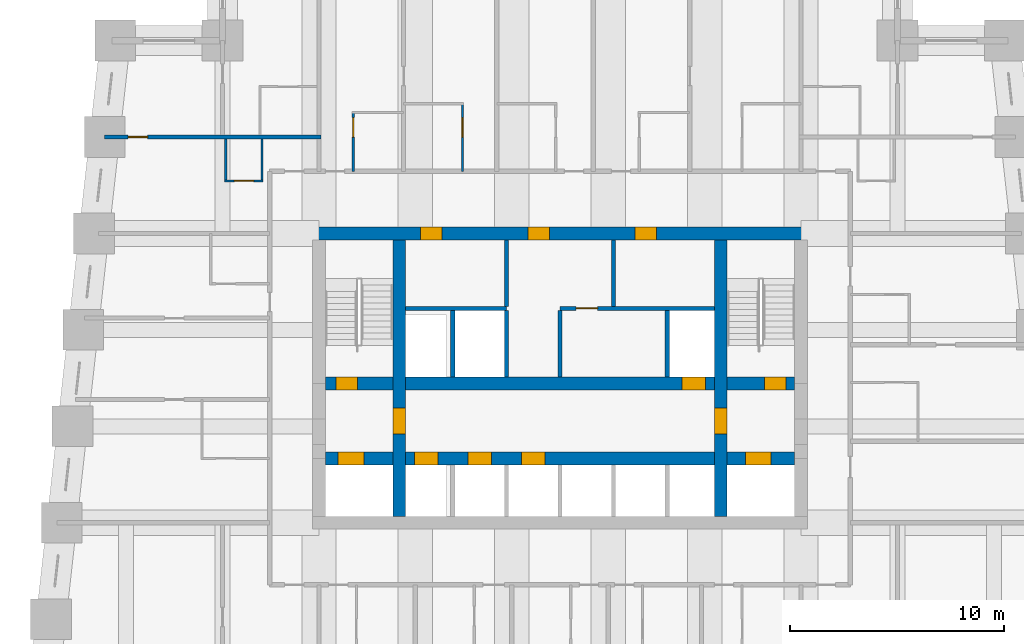
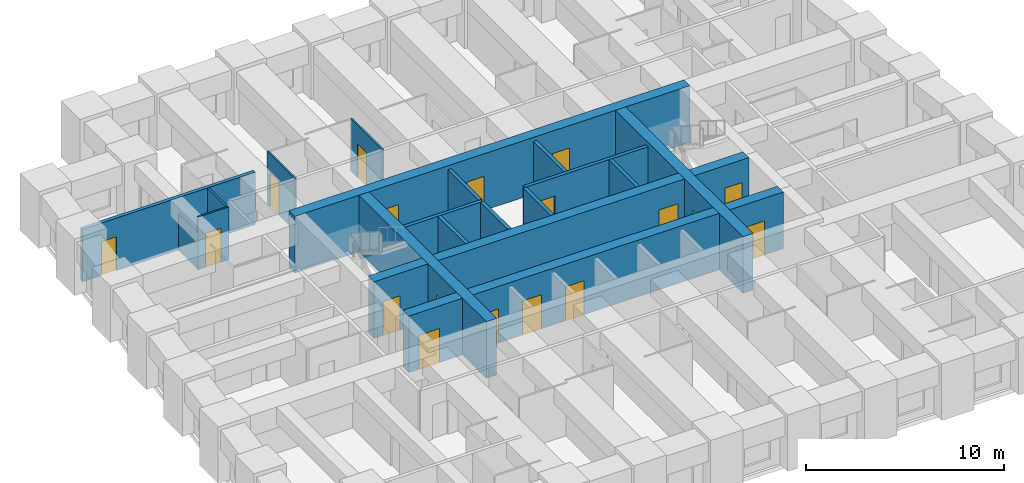
# One storey, part 4 of 8: 19 walls, 18 doors, 18 openings.
"""IFC4 building model written with IfcOpenShell, lengths in metres."""

from ifc_helpers import new_model, si_unit, direction, frame, frame_2d, origin, place, context, subcontext, project, spatial, rectangle, extrude, material, layer, layer_set, type_object, element, fill, save


model = new_model("IFC4")

# Units and contexts
model_context = context("Model", 3, precision=1e-05, world=origin(), true_north=direction((0.0, 1.0)))
body_context = subcontext(model_context, "Body", "Model", "MODEL_VIEW")
ifc_project = project(units=[si_unit("LENGTHUNIT", "METRE"), si_unit("AREAUNIT", "SQUARE_METRE"), si_unit("VOLUMEUNIT", "CUBIC_METRE"), si_unit("PLANEANGLEUNIT", "RADIAN"), si_unit("MASSUNIT", "GRAM", prefix="KILO")], contexts=[model_context])

# Site, building, storey
site_placement = place(None, origin())
site = spatial("IfcSite", under=ifc_project, at=site_placement, CompositionType="ELEMENT")
building_placement = place(site_placement, origin())
building = spatial("IfcBuilding", under=site, at=building_placement, Name="Kilele Tower Hotel", CompositionType="ELEMENT")
storey_placement = place(building_placement, frame((0.0, 0.0, 61.199951171875)))
storey = spatial("IfcBuildingStorey", under=building, at=storey_placement, Name="L14", CompositionType="ELEMENT", Elevation=61.199951171875)

# Wall, opening, door
ifc_material_1 = material(Name="Moisture-resistant board")
ifc_layer_1 = layer(ifc_material_1, 0.10009765625)
ifc_layer_set_1 = layer_set([ifc_layer_1], Name="Moisture-resistant board")
wall_type_1 = type_object("IfcWallType", Name="Bathroom partition 100", PredefinedType="PLUMBINGWALL", material=ifc_layer_set_1)
wall_1_placement = place(storey_placement, frame((15.10009765625, 29.89990234375, 0.0), z_axis=(0.0, 0.0, 1.0), x_axis=(0.0, 1.0, 0.0)))
wall_1 = element("IfcWall", 1, at=wall_1_placement, inside=storey, type_object=wall_type_1, Name="Bathroom partition 100 L14", PredefinedType="PLUMBINGWALL", context=body_context, shape_type="SweptSolid", body=[
    extrude(rectangle(XDim=2.800048828125, YDim=0.10009765625, at=frame_2d((1.39990234375, 0.0))), origin(), (0.0, 0.0, 1.0), 3.25),
])
opening_1_placement = place(wall_1_placement, frame((1.60009765625, 0.0, 0.0)))
opening_1 = element("IfcOpeningElement", 2, at=opening_1_placement, cuts=wall_1, Name="Opening D2A", PredefinedType="OPENING", context=body_context, shape_type="SweptSolid", body=[
    extrude(rectangle(XDim=0.89990234375, YDim=2.10009765625, at=frame_2d((0.449951171875, 1.050048828125))), frame((0.0, 0.06005859375, 0.0), z_axis=(0.0, -1.0, 0.0), x_axis=(1.0, 0.0, 0.0)), (0.0, 0.0, 1.0), 0.1201171875),
])
ifc_material_2 = material(Name="Timber door leaf in hardwood frame", Category="wood")
door_type_1 = type_object("IfcDoorType", Name="Bathroom door 900", OperationType="SINGLE_SWING_LEFT", PredefinedType="DOOR", material=ifc_material_2)
door_1_placement = place(opening_1_placement, origin())
door_1 = element("IfcDoor", 3, at=door_1_placement, inside=storey, type_object=door_type_1, Name="Bathroom door 1409B", OperationType="SINGLE_SWING_LEFT", OverallHeight=2.10009765625, OverallWidth=0.89990234375, PredefinedType="DOOR", context=body_context, shape_type="SweptSolid", body=[
    extrude(rectangle(XDim=0.89990234375, YDim=2.10009765625, at=frame_2d((0.449951171875, 1.050048828125))), frame((0.0, 0.02490234375, 0.0), z_axis=(0.0, -1.0, 0.0), x_axis=(1.0, 0.0, 0.0)), (0.0, 0.0, 1.0), 0.050048828125),
])
fill(opening_1, door_1)

wall_2_placement = place(storey_placement, frame((20.199951171875, 29.89990234375, 0.0), z_axis=(0.0, 0.0, 1.0), x_axis=(0.0, 1.0, 0.0)))
wall_2 = element("IfcWall", 4, at=wall_2_placement, inside=storey, type_object=wall_type_1, Name="Bathroom partition 100 L14", PredefinedType="PLUMBINGWALL", context=body_context, shape_type="SweptSolid", body=[
    extrude(rectangle(XDim=3.2001953125, YDim=0.10009765625, at=frame_2d((1.60009765625, 0.0))), origin(), (0.0, 0.0, 1.0), 3.25),
])
opening_2_placement = place(wall_2_placement, frame((2.5, 0.0, 0.0), z_axis=(0.0, 0.0, 1.0), x_axis=(-1.0, 0.0, 0.0)))
opening_2 = element("IfcOpeningElement", 5, at=opening_2_placement, cuts=wall_2, Name="Opening D2A", PredefinedType="OPENING", context=body_context, shape_type="SweptSolid", body=[
    extrude(rectangle(XDim=0.89990234375, YDim=2.10009765625, at=frame_2d((0.449951171875, 1.050048828125))), frame((0.0, 0.06005859375, 0.0), z_axis=(0.0, -1.0, 0.0), x_axis=(1.0, 0.0, 0.0)), (0.0, 0.0, 1.0), 0.1201171875),
])
door_2_placement = place(opening_2_placement, origin())
door_2 = element("IfcDoor", 6, at=door_2_placement, inside=storey, type_object=door_type_1, Name="Bathroom door 1410B", OperationType="SINGLE_SWING_RIGHT", OverallHeight=2.10009765625, OverallWidth=0.89990234375, PredefinedType="DOOR", context=body_context, shape_type="SweptSolid", body=[
    extrude(rectangle(XDim=0.89990234375, YDim=2.10009765625, at=frame_2d((0.449951171875, 1.050048828125))), frame((0.0, 0.02490234375, 0.0), z_axis=(0.0, -1.0, 0.0), x_axis=(1.0, 0.0, 0.0)), (0.0, 0.0, 1.0), 0.050048828125),
])
fill(opening_2, door_2)

# Walls
wall_3_placement = place(storey_placement, frame((9.14990234375, 31.39990234375, 0.0), z_axis=(0.0, 0.0, 1.0), x_axis=(0.0, -1.0, 0.0)))
element("IfcWall", 7, at=wall_3_placement, inside=storey, type_object=wall_type_1, Name="Bathroom partition 100 L14", PredefinedType="PLUMBINGWALL", context=body_context, shape_type="SweptSolid", body=[
    extrude(rectangle(XDim=2.0, YDim=0.10009765625, at=frame_2d((1.0, 0.0))), origin(), (0.0, 0.0, 1.0), 2.25),
])
wall_4_placement = place(storey_placement, frame((10.85009765625, 31.39990234375, 0.0), z_axis=(0.0, 0.0, 1.0), x_axis=(0.0, -1.0, 0.0)))
element("IfcWall", 8, at=wall_4_placement, inside=storey, type_object=wall_type_1, Name="Bathroom partition 100 L14", PredefinedType="PLUMBINGWALL", context=body_context, shape_type="SweptSolid", body=[
    extrude(rectangle(XDim=2.0, YDim=0.10009765625, at=frame_2d((1.0, 0.0))), origin(), (0.0, 0.0, 1.0), 3.25),
])

# Wall, opening, door
wall_5_placement = place(storey_placement, frame((10.89990234375, 29.449951171875, 0.0), z_axis=(0.0, 0.0, 1.0), x_axis=(-1.0, 0.0, 0.0)))
wall_5 = element("IfcWall", 9, at=wall_5_placement, inside=storey, type_object=wall_type_1, Name="Bathroom partition 100 L14", PredefinedType="PLUMBINGWALL", context=body_context, shape_type="SweptSolid", body=[
    extrude(rectangle(XDim=1.7998046875, YDim=0.10009765625, at=frame_2d((0.89990234375, 0.0))), origin(), (0.0, 0.0, 1.0), 3.25),
])
opening_3_placement = place(wall_5_placement, frame((0.449951171875, 0.0, 0.0)))
opening_3 = element("IfcOpeningElement", 10, at=opening_3_placement, cuts=wall_5, Name="Opening D2A", PredefinedType="OPENING", context=body_context, shape_type="SweptSolid", body=[
    extrude(rectangle(XDim=0.89990234375, YDim=2.10009765625, at=frame_2d((0.449951171875, 1.050048828125))), frame((0.0, 0.06005859375, 0.0), z_axis=(0.0, -1.0, 0.0), x_axis=(1.0, 0.0, 0.0)), (0.0, 0.0, 1.0), 0.1201171875),
])
door_3_placement = place(opening_3_placement, origin())
door_3 = element("IfcDoor", 11, at=door_3_placement, inside=storey, type_object=door_type_1, Name="Bathroom door 1426P", OperationType="SINGLE_SWING_LEFT", OverallHeight=2.10009765625, OverallWidth=0.89990234375, PredefinedType="DOOR", context=body_context, shape_type="SweptSolid", body=[
    extrude(rectangle(XDim=0.89990234375, YDim=2.10009765625, at=frame_2d((0.449951171875, 1.050048828125))), frame((0.0, 0.02490234375, 0.0), z_axis=(0.0, -1.0, 0.0), x_axis=(1.0, 0.0, 0.0)), (0.0, 0.0, 1.0), 0.050048828125),
])
fill(opening_3, door_3)

# Wall, openings, doors
ifc_material_3 = material(Name="Concrete C60/75", Category="concrete")
ifc_layer_2 = layer(ifc_material_3, 0.60009765625)
ifc_layer_set_2 = layer_set([ifc_layer_2], Name="Concrete C60/75")
wall_type_2 = type_object("IfcWallType", Name="Core wall 600 C60/75", PredefinedType="SHEAR", material=ifc_layer_set_2)
wall_6_placement = place(storey_placement, frame((36.300048828125, 27.0, 0.0), z_axis=(0.0, 0.0, 1.0), x_axis=(-1.0, 0.0, 0.0)))
wall_6 = element("IfcWall", 12, at=wall_6_placement, inside=storey, type_object=wall_type_2, Name="Core wall N L14", PredefinedType="SHEAR", context=body_context, shape_type="SweptSolid", body=[
    extrude(rectangle(XDim=23.10009765625, YDim=0.60009765625, at=frame_2d((11.550048828125, 0.0))), origin(), (0.0, 0.0, 1.0), 3.5),
])
opening_4_placement = place(wall_6_placement, frame((17.050048828125, 0.0, 0.0)))
opening_4 = element("IfcOpeningElement", 13, at=opening_4_placement, cuts=wall_6, Name="Opening D6", PredefinedType="OPENING", context=body_context, shape_type="SweptSolid", body=[
    extrude(rectangle(XDim=1.0, YDim=2.10009765625, at=frame_2d((0.5, 1.050048828125))), frame((0.0, 0.31005859375, 0.0), z_axis=(0.0, -1.0, 0.0), x_axis=(1.0, 0.0, 0.0)), (0.0, 0.0, 1.0), 0.6201171875),
])
opening_5_placement = place(wall_6_placement, frame((12.050048828125, 0.0, 0.0)))
opening_5 = element("IfcOpeningElement", 14, at=opening_5_placement, cuts=wall_6, Name="Opening D6", PredefinedType="OPENING", context=body_context, shape_type="SweptSolid", body=[
    extrude(rectangle(XDim=1.0, YDim=2.10009765625, at=frame_2d((0.5, 1.050048828125))), frame((0.0, 0.31005859375, 0.0), z_axis=(0.0, -1.0, 0.0), x_axis=(1.0, 0.0, 0.0)), (0.0, 0.0, 1.0), 0.6201171875),
])
opening_6_placement = place(wall_6_placement, frame((7.050048828125, 0.0, 0.0)))
opening_6 = element("IfcOpeningElement", 15, at=opening_6_placement, cuts=wall_6, Name="Opening D6", PredefinedType="OPENING", context=body_context, shape_type="SweptSolid", body=[
    extrude(rectangle(XDim=1.0, YDim=2.10009765625, at=frame_2d((0.5, 1.050048828125))), frame((0.0, 0.31005859375, 0.0), z_axis=(0.0, -1.0, 0.0), x_axis=(1.0, 0.0, 0.0)), (0.0, 0.0, 1.0), 0.6201171875),
])
ifc_material_4 = material(Name="Timber door leaf in hardwood frame", Category="wood")
door_type_2 = type_object("IfcDoorType", Name="Riser door 1000", OperationType="SINGLE_SWING_LEFT", PredefinedType="DOOR", material=ifc_material_4)
door_4_placement = place(opening_4_placement, origin())
door_4 = element("IfcDoor", 16, at=door_4_placement, inside=storey, type_object=door_type_2, Name="Service riser door L14", OperationType="SINGLE_SWING_RIGHT", OverallHeight=2.10009765625, OverallWidth=1.0, PredefinedType="DOOR", context=body_context, shape_type="SweptSolid", body=[
    extrude(rectangle(XDim=1.0, YDim=2.10009765625, at=frame_2d((0.5, 1.050048828125))), frame((0.0, 0.2998046875, 0.0), z_axis=(0.0, -1.0, 0.0), x_axis=(1.0, 0.0, 0.0)), (0.0, 0.0, 1.0), 0.599609375),
])
fill(opening_4, door_4)
door_5_placement = place(opening_5_placement, origin())
door_5 = element("IfcDoor", 17, at=door_5_placement, inside=storey, type_object=door_type_2, Name="Linen store door L14", OperationType="SINGLE_SWING_RIGHT", OverallHeight=2.10009765625, OverallWidth=1.0, PredefinedType="DOOR", context=body_context, shape_type="SweptSolid", body=[
    extrude(rectangle(XDim=1.0, YDim=2.10009765625, at=frame_2d((0.5, 1.050048828125))), frame((0.0, 0.2998046875, 0.0), z_axis=(0.0, -1.0, 0.0), x_axis=(1.0, 0.0, 0.0)), (0.0, 0.0, 1.0), 0.599609375),
])
fill(opening_5, door_5)
door_6_placement = place(opening_6_placement, origin())
door_6 = element("IfcDoor", 18, at=door_6_placement, inside=storey, type_object=door_type_2, Name="Electrical riser door L14", OperationType="SINGLE_SWING_RIGHT", OverallHeight=2.10009765625, OverallWidth=1.0, PredefinedType="DOOR", context=body_context, shape_type="SweptSolid", body=[
    extrude(rectangle(XDim=1.0, YDim=2.10009765625, at=frame_2d((0.5, 1.050048828125))), frame((0.0, 0.2998046875, 0.0), z_axis=(0.0, -1.0, 0.0), x_axis=(1.0, 0.0, 0.0)), (0.0, 0.0, 1.0), 0.599609375),
])
fill(opening_6, door_6)

# Wall, opening, door
wall_7_placement = place(storey_placement, frame((17.25, 13.800048828125, 0.0), z_axis=(0.0, 0.0, 1.0), x_axis=(0.0, 1.0, 0.0)))
wall_7 = element("IfcWall", 19, at=wall_7_placement, inside=storey, type_object=wall_type_2, Name="Core wall IW L14", PredefinedType="SHEAR", context=body_context, shape_type="SweptSolid", body=[
    extrude(rectangle(XDim=12.89990234375, YDim=0.60009765625, at=frame_2d((6.449951171875, 0.0))), origin(), (0.0, 0.0, 1.0), 3.5),
])
opening_7_placement = place(wall_7_placement, frame((3.85009765625, 0.0, 0.0)))
opening_7 = element("IfcOpeningElement", 20, at=opening_7_placement, cuts=wall_7, Name="Opening D4", PredefinedType="OPENING", context=body_context, shape_type="SweptSolid", body=[
    extrude(rectangle(XDim=1.199951171875, YDim=2.10009765625, at=frame_2d((0.60009765625, 1.050048828125))), frame((0.0, 0.31005859375, 0.0), z_axis=(0.0, -1.0, 0.0), x_axis=(1.0, 0.0, 0.0)), (0.0, 0.0, 1.0), 0.6201171875),
])
ifc_material_5 = material(Name="Timber door leaf in hardwood frame", Category="wood")
door_type_3 = type_object("IfcDoorType", Name="Firefighting lobby door 1200", OperationType="SINGLE_SWING_LEFT", PredefinedType="DOOR", material=ifc_material_5)
door_7_placement = place(opening_7_placement, origin())
door_7 = element("IfcDoor", 21, at=door_7_placement, inside=storey, type_object=door_type_3, Name="Lobby door L14", OperationType="SINGLE_SWING_LEFT", OverallHeight=2.10009765625, OverallWidth=1.199951171875, PredefinedType="DOOR", context=body_context, shape_type="SweptSolid", body=[
    extrude(rectangle(XDim=1.199951171875, YDim=2.10009765625, at=frame_2d((0.60009765625, 1.050048828125))), frame((0.0, 0.2998046875, 0.0), z_axis=(0.0, -1.0, 0.0), x_axis=(1.0, 0.0, 0.0)), (0.0, 0.0, 1.0), 0.599609375),
])
fill(opening_7, door_7)

wall_8_placement = place(storey_placement, frame((32.25, 13.800048828125, 0.0), z_axis=(0.0, 0.0, 1.0), x_axis=(0.0, 1.0, 0.0)))
wall_8 = element("IfcWall", 22, at=wall_8_placement, inside=storey, type_object=wall_type_2, Name="Core wall IE L14", PredefinedType="SHEAR", context=body_context, shape_type="SweptSolid", body=[
    extrude(rectangle(XDim=12.89990234375, YDim=0.60009765625, at=frame_2d((6.449951171875, 0.0))), origin(), (0.0, 0.0, 1.0), 3.5),
])
opening_8_placement = place(wall_8_placement, frame((5.050048828125, 0.0, 0.0), z_axis=(0.0, 0.0, 1.0), x_axis=(-1.0, 0.0, 0.0)))
opening_8 = element("IfcOpeningElement", 23, at=opening_8_placement, cuts=wall_8, Name="Opening D4", PredefinedType="OPENING", context=body_context, shape_type="SweptSolid", body=[
    extrude(rectangle(XDim=1.199951171875, YDim=2.10009765625, at=frame_2d((0.60009765625, 1.050048828125))), frame((0.0, 0.31005859375, 0.0), z_axis=(0.0, -1.0, 0.0), x_axis=(1.0, 0.0, 0.0)), (0.0, 0.0, 1.0), 0.6201171875),
])
door_8_placement = place(opening_8_placement, origin())
door_8 = element("IfcDoor", 24, at=door_8_placement, inside=storey, type_object=door_type_3, Name="Lobby door L14", OperationType="SINGLE_SWING_RIGHT", OverallHeight=2.10009765625, OverallWidth=1.199951171875, PredefinedType="DOOR", context=body_context, shape_type="SweptSolid", body=[
    extrude(rectangle(XDim=1.199951171875, YDim=2.10009765625, at=frame_2d((0.60009765625, 1.050048828125))), frame((0.0, 0.2998046875, 0.0), z_axis=(0.0, -1.0, 0.0), x_axis=(1.0, 0.0, 0.0)), (0.0, 0.0, 1.0), 0.599609375),
])
fill(opening_8, door_8)

# Wall, openings, doors
wall_9_placement = place(storey_placement, frame((13.800048828125, 16.5, 0.0), z_axis=(0.0, 0.0, 1.0), x_axis=(1.0, 0.0, 0.0)))
wall_9 = element("IfcWall", 25, at=wall_9_placement, inside=storey, type_object=wall_type_2, Name="Core wall LS L14", PredefinedType="SHEAR", context=body_context, shape_type="SweptSolid", body=[
    extrude(rectangle(XDim=21.89990234375, YDim=0.60009765625, at=frame_2d((10.949951171875, 0.0))), origin(), (0.0, 0.0, 1.0), 3.5),
])
opening_9_placement = place(wall_9_placement, frame((4.14990234375, 0.0, 0.0)))
opening_9 = element("IfcOpeningElement", 26, at=opening_9_placement, cuts=wall_9, Name="Opening LD1", PredefinedType="OPENING", context=body_context, shape_type="SweptSolid", body=[
    extrude(rectangle(XDim=1.10009765625, YDim=2.10009765625, at=frame_2d((0.550048828125, 1.050048828125))), frame((0.0, 0.31005859375, 0.0), z_axis=(0.0, -1.0, 0.0), x_axis=(1.0, 0.0, 0.0)), (0.0, 0.0, 1.0), 0.6201171875),
])
opening_10_placement = place(wall_9_placement, frame((6.64990234375, 0.0, 0.0)))
opening_10 = element("IfcOpeningElement", 27, at=opening_10_placement, cuts=wall_9, Name="Opening LD1", PredefinedType="OPENING", context=body_context, shape_type="SweptSolid", body=[
    extrude(rectangle(XDim=1.10009765625, YDim=2.10009765625, at=frame_2d((0.550048828125, 1.050048828125))), frame((0.0, 0.31005859375, 0.0), z_axis=(0.0, -1.0, 0.0), x_axis=(1.0, 0.0, 0.0)), (0.0, 0.0, 1.0), 0.6201171875),
])
opening_11_placement = place(wall_9_placement, frame((9.14990234375, 0.0, 0.0)))
opening_11 = element("IfcOpeningElement", 28, at=opening_11_placement, cuts=wall_9, Name="Opening LD1", PredefinedType="OPENING", context=body_context, shape_type="SweptSolid", body=[
    extrude(rectangle(XDim=1.10009765625, YDim=2.10009765625, at=frame_2d((0.550048828125, 1.050048828125))), frame((0.0, 0.31005859375, 0.0), z_axis=(0.0, -1.0, 0.0), x_axis=(1.0, 0.0, 0.0)), (0.0, 0.0, 1.0), 0.6201171875),
])
opening_12_placement = place(wall_9_placement, frame((0.60009765625, 0.0, 0.0)))
opening_12 = element("IfcOpeningElement", 29, at=opening_12_placement, cuts=wall_9, Name="Opening LD2", PredefinedType="OPENING", context=body_context, shape_type="SweptSolid", body=[
    extrude(rectangle(XDim=1.199951171875, YDim=2.10009765625, at=frame_2d((0.60009765625, 1.050048828125))), frame((0.0, 0.31005859375, 0.0), z_axis=(0.0, -1.0, 0.0), x_axis=(1.0, 0.0, 0.0)), (0.0, 0.0, 1.0), 0.6201171875),
])
opening_13_placement = place(wall_9_placement, frame((19.60009765625, 0.0, 0.0)))
opening_13 = element("IfcOpeningElement", 30, at=opening_13_placement, cuts=wall_9, Name="Opening LD2", PredefinedType="OPENING", context=body_context, shape_type="SweptSolid", body=[
    extrude(rectangle(XDim=1.199951171875, YDim=2.10009765625, at=frame_2d((0.60009765625, 1.050048828125))), frame((0.0, 0.31005859375, 0.0), z_axis=(0.0, -1.0, 0.0), x_axis=(1.0, 0.0, 0.0)), (0.0, 0.0, 1.0), 0.6201171875),
])
ifc_material_6 = material(Name="Steel lift landing door", Category="steel")
door_type_4 = type_object("IfcDoorType", Name="Firefighting lift landing door 1200", OperationType="SLIDING_TO_LEFT", PredefinedType="DOOR", material=ifc_material_6)
door_9_placement = place(opening_12_placement, origin())
door_9 = element("IfcDoor", 31, at=door_9_placement, inside=storey, type_object=door_type_4, Name="Landing door FFW L14", OperationType="SLIDING_TO_LEFT", OverallHeight=2.10009765625, OverallWidth=1.199951171875, PredefinedType="DOOR", context=body_context, shape_type="SweptSolid", body=[
    extrude(rectangle(XDim=1.199951171875, YDim=2.10009765625, at=frame_2d((0.60009765625, 1.050048828125))), frame((0.0, 0.2998046875, 0.0), z_axis=(0.0, -1.0, 0.0), x_axis=(1.0, 0.0, 0.0)), (0.0, 0.0, 1.0), 0.599609375),
])
fill(opening_12, door_9)
door_10_placement = place(opening_13_placement, origin())
door_10 = element("IfcDoor", 32, at=door_10_placement, inside=storey, type_object=door_type_4, Name="Landing door FFE L14", OperationType="SLIDING_TO_LEFT", OverallHeight=2.10009765625, OverallWidth=1.199951171875, PredefinedType="DOOR", context=body_context, shape_type="SweptSolid", body=[
    extrude(rectangle(XDim=1.199951171875, YDim=2.10009765625, at=frame_2d((0.60009765625, 1.050048828125))), frame((0.0, 0.2998046875, 0.0), z_axis=(0.0, -1.0, 0.0), x_axis=(1.0, 0.0, 0.0)), (0.0, 0.0, 1.0), 0.599609375),
])
fill(opening_13, door_10)
ifc_material_7 = material(Name="Steel lift landing door", Category="steel")
door_type_5 = type_object("IfcDoorType", Name="Lift landing door 1100", OperationType="SLIDING_TO_LEFT", PredefinedType="DOOR", material=ifc_material_7)
door_11_placement = place(opening_9_placement, origin())
door_11 = element("IfcDoor", 33, at=door_11_placement, inside=storey, type_object=door_type_5, Name="Landing door L1 L14", OperationType="SLIDING_TO_LEFT", OverallHeight=2.10009765625, OverallWidth=1.10009765625, PredefinedType="DOOR", context=body_context, shape_type="SweptSolid", body=[
    extrude(rectangle(XDim=1.10009765625, YDim=2.10009765625, at=frame_2d((0.550048828125, 1.050048828125))), frame((0.0, 0.2998046875, 0.0), z_axis=(0.0, -1.0, 0.0), x_axis=(1.0, 0.0, 0.0)), (0.0, 0.0, 1.0), 0.599609375),
])
fill(opening_9, door_11)
door_12_placement = place(opening_10_placement, origin())
door_12 = element("IfcDoor", 34, at=door_12_placement, inside=storey, type_object=door_type_5, Name="Landing door L2 L14", OperationType="SLIDING_TO_LEFT", OverallHeight=2.10009765625, OverallWidth=1.10009765625, PredefinedType="DOOR", context=body_context, shape_type="SweptSolid", body=[
    extrude(rectangle(XDim=1.10009765625, YDim=2.10009765625, at=frame_2d((0.550048828125, 1.050048828125))), frame((0.0, 0.2998046875, 0.0), z_axis=(0.0, -1.0, 0.0), x_axis=(1.0, 0.0, 0.0)), (0.0, 0.0, 1.0), 0.599609375),
])
fill(opening_10, door_12)
door_13_placement = place(opening_11_placement, origin())
door_13 = element("IfcDoor", 35, at=door_13_placement, inside=storey, type_object=door_type_5, Name="Landing door L3 L14", OperationType="SLIDING_TO_LEFT", OverallHeight=2.10009765625, OverallWidth=1.10009765625, PredefinedType="DOOR", context=body_context, shape_type="SweptSolid", body=[
    extrude(rectangle(XDim=1.10009765625, YDim=2.10009765625, at=frame_2d((0.550048828125, 1.050048828125))), frame((0.0, 0.2998046875, 0.0), z_axis=(0.0, -1.0, 0.0), x_axis=(1.0, 0.0, 0.0)), (0.0, 0.0, 1.0), 0.599609375),
])
fill(opening_11, door_13)

wall_10_placement = place(storey_placement, frame((13.800048828125, 20.0, 0.0), z_axis=(0.0, 0.0, 1.0), x_axis=(1.0, 0.0, 0.0)))
wall_10 = element("IfcWall", 36, at=wall_10_placement, inside=storey, type_object=wall_type_2, Name="Core wall LN L14", PredefinedType="SHEAR", context=body_context, shape_type="SweptSolid", body=[
    extrude(rectangle(XDim=21.89990234375, YDim=0.60009765625, at=frame_2d((10.949951171875, 0.0))), origin(), (0.0, 0.0, 1.0), 3.5),
])
opening_14_placement = place(wall_10_placement, frame((0.5, 0.0, 0.0)))
opening_14 = element("IfcOpeningElement", 37, at=opening_14_placement, cuts=wall_10, Name="Opening D5", PredefinedType="OPENING", context=body_context, shape_type="SweptSolid", body=[
    extrude(rectangle(XDim=1.0, YDim=2.10009765625, at=frame_2d((0.5, 1.050048828125))), frame((0.0, 0.31005859375, 0.0), z_axis=(0.0, -1.0, 0.0), x_axis=(1.0, 0.0, 0.0)), (0.0, 0.0, 1.0), 0.6201171875),
])
opening_15_placement = place(wall_10_placement, frame((20.5, 0.0, 0.0)))
opening_15 = element("IfcOpeningElement", 38, at=opening_15_placement, cuts=wall_10, Name="Opening D5", PredefinedType="OPENING", context=body_context, shape_type="SweptSolid", body=[
    extrude(rectangle(XDim=1.0, YDim=2.10009765625, at=frame_2d((0.5, 1.050048828125))), frame((0.0, 0.31005859375, 0.0), z_axis=(0.0, -1.0, 0.0), x_axis=(1.0, 0.0, 0.0)), (0.0, 0.0, 1.0), 0.6201171875),
])
opening_16_placement = place(wall_10_placement, frame((16.64990234375, 0.0, 0.0)))
opening_16 = element("IfcOpeningElement", 39, at=opening_16_placement, cuts=wall_10, Name="Opening LD1", PredefinedType="OPENING", context=body_context, shape_type="SweptSolid", body=[
    extrude(rectangle(XDim=1.10009765625, YDim=2.10009765625, at=frame_2d((0.550048828125, 1.050048828125))), frame((0.0, 0.31005859375, 0.0), z_axis=(0.0, -1.0, 0.0), x_axis=(1.0, 0.0, 0.0)), (0.0, 0.0, 1.0), 0.6201171875),
])
door_14_placement = place(opening_16_placement, origin())
door_14 = element("IfcDoor", 40, at=door_14_placement, inside=storey, type_object=door_type_5, Name="Landing door G1 L14", OperationType="SLIDING_TO_LEFT", OverallHeight=2.10009765625, OverallWidth=1.10009765625, PredefinedType="DOOR", context=body_context, shape_type="SweptSolid", body=[
    extrude(rectangle(XDim=1.10009765625, YDim=2.10009765625, at=frame_2d((0.550048828125, 1.050048828125))), frame((0.0, 0.2998046875, 0.0), z_axis=(0.0, -1.0, 0.0), x_axis=(1.0, 0.0, 0.0)), (0.0, 0.0, 1.0), 0.599609375),
])
fill(opening_16, door_14)
ifc_material_8 = material(Name="Timber door leaf in hardwood frame", Category="wood")
door_type_6 = type_object("IfcDoorType", Name="Stair door 1000", OperationType="SINGLE_SWING_LEFT", PredefinedType="DOOR", material=ifc_material_8)
door_15_placement = place(opening_14_placement, origin())
door_15 = element("IfcDoor", 41, at=door_15_placement, inside=storey, type_object=door_type_6, Name="Stair 1 door L14", OperationType="SINGLE_SWING_LEFT", OverallHeight=2.10009765625, OverallWidth=1.0, PredefinedType="DOOR", context=body_context, shape_type="SweptSolid", body=[
    extrude(rectangle(XDim=1.0, YDim=2.10009765625, at=frame_2d((0.5, 1.050048828125))), frame((0.0, 0.2998046875, 0.0), z_axis=(0.0, -1.0, 0.0), x_axis=(1.0, 0.0, 0.0)), (0.0, 0.0, 1.0), 0.599609375),
])
fill(opening_14, door_15)
door_16_placement = place(opening_15_placement, origin())
door_16 = element("IfcDoor", 42, at=door_16_placement, inside=storey, type_object=door_type_6, Name="Stair 2 door L14", OperationType="SINGLE_SWING_RIGHT", OverallHeight=2.10009765625, OverallWidth=1.0, PredefinedType="DOOR", context=body_context, shape_type="SweptSolid", body=[
    extrude(rectangle(XDim=1.0, YDim=2.10009765625, at=frame_2d((0.5, 1.050048828125))), frame((0.0, 0.2998046875, 0.0), z_axis=(0.0, -1.0, 0.0), x_axis=(1.0, 0.0, 0.0)), (0.0, 0.0, 1.0), 0.599609375),
])
fill(opening_15, door_16)

# Wall, opening, door
ifc_material_9 = material(Name="Blockwork, plastered both sides", Category="masonry")
ifc_layer_3 = layer(ifc_material_9, 0.199951171875)
ifc_layer_set_3 = layer_set([ifc_layer_3], Name="Blockwork, plastered both sides")
wall_type_3 = type_object("IfcWallType", Name="Party wall 200", PredefinedType="PARTITIONING", material=ifc_layer_set_3)
wall_11_placement = place(storey_placement, frame((13.60009765625, 31.5, 0.0), z_axis=(0.0, 0.0, 1.0), x_axis=(-1.0, 0.0, 0.0)))
wall_11 = element("IfcWall", 43, at=wall_11_placement, inside=storey, type_object=wall_type_3, Name="Party wall 200 L14", PredefinedType="PARTITIONING", context=body_context, shape_type="SweptSolid", body=[
    extrude(rectangle(XDim=10.09912109375, YDim=0.199951171875, at=frame_2d((5.049560546875, 0.0))), origin(), (0.0, 0.0, 1.0), 3.25),
])
opening_17_placement = place(wall_11_placement, frame((8.9990234375, 0.0, 0.0), z_axis=(0.0, 0.0, 1.0), x_axis=(-1.0, 0.0, 0.0)))
opening_17 = element("IfcOpeningElement", 44, at=opening_17_placement, cuts=wall_11, Name="Opening D3", PredefinedType="OPENING", context=body_context, shape_type="SweptSolid", body=[
    extrude(rectangle(XDim=0.89990234375, YDim=2.10009765625, at=frame_2d((0.449951171875, 1.050048828125))), frame((0.0, 0.10986328125, 0.0), z_axis=(0.0, -1.0, 0.0), x_axis=(1.0, 0.0, 0.0)), (0.0, 0.0, 1.0), 0.219970703125),
])
ifc_material_10 = material(Name="Timber door leaf in hardwood frame", Category="wood")
door_type_7 = type_object("IfcDoorType", Name="Suite internal door 900", OperationType="SINGLE_SWING_LEFT", PredefinedType="DOOR", material=ifc_material_10)
door_17_placement = place(opening_17_placement, origin())
door_17 = element("IfcDoor", 45, at=door_17_placement, inside=storey, type_object=door_type_7, Name="Suite door 1427", OperationType="SINGLE_SWING_LEFT", OverallHeight=2.10009765625, OverallWidth=0.89990234375, PredefinedType="DOOR", context=body_context, shape_type="SweptSolid", body=[
    extrude(rectangle(XDim=0.89990234375, YDim=2.10009765625, at=frame_2d((0.449951171875, 1.050048828125))), frame((0.0, 0.02490234375, 0.0), z_axis=(0.0, -1.0, 0.0), x_axis=(1.0, 0.0, 0.0)), (0.0, 0.0, 1.0), 0.050048828125),
])
fill(opening_17, door_17)

# Walls
ifc_material_11 = material(Name="Blockwork, fire-rated", Category="masonry")
ifc_layer_4 = layer(ifc_material_11, 0.199951171875)
ifc_layer_set_4 = layer_set([ifc_layer_4], Name="Blockwork, fire-rated")
wall_type_4 = type_object("IfcWallType", Name="Shaft wall 200", PredefinedType="PARTITIONING", material=ifc_layer_set_4)
for number, where, z_axis, x_axis, name in (
    (46, (19.75, 20.300048828125, 0.0), (0.0, 0.0, 1.0), (0.0, 1.0, 0.0), "Shaft wall 200 L14"),
    (47, (22.25, 20.300048828125, 0.0), (0.0, 0.0, 1.0), (0.0, 1.0, 0.0), "Shaft wall 200 L14"),
    (48, (24.75, 20.300048828125, 0.0), (0.0, 0.0, 1.0), (0.0, 1.0, 0.0), "Shaft wall 200 L14"),
    (49, (29.75, 20.300048828125, 0.0), (0.0, 0.0, 1.0), (0.0, 1.0, 0.0), "Shaft wall 200 L14"),
):
    element("IfcWall", number, at=place(storey_placement, frame(where, z_axis=z_axis, x_axis=x_axis)), inside=storey, type_object=wall_type_4, Name=name, PredefinedType="PARTITIONING", context=body_context, shape_type="SweptSolid", body=[
        extrude(rectangle(XDim=3.099853515625, YDim=0.199951171875, at=frame_2d((1.5498046875, 0.0))), origin(), (0.0, 0.0, 1.0), 3.25),
    ])
wall_12_placement = place(storey_placement, frame((17.550048828125, 23.5, 0.0), z_axis=(0.0, 0.0, 1.0), x_axis=(1.0, 0.0, 0.0)))
element("IfcWall", 50, at=wall_12_placement, inside=storey, type_object=wall_type_4, Name="Shaft wall 200 L14", PredefinedType="PARTITIONING", context=body_context, shape_type="SweptSolid", body=[
    extrude(rectangle(XDim=4.699951171875, YDim=0.199951171875, at=frame_2d((2.35009765625, 0.0))), origin(), (0.0, 0.0, 1.0), 3.25),
])

# Wall, opening, door
wall_13_placement = place(storey_placement, frame((24.75, 23.5, 0.0), z_axis=(0.0, 0.0, 1.0), x_axis=(1.0, 0.0, 0.0)))
wall_13 = element("IfcWall", 51, at=wall_13_placement, inside=storey, type_object=wall_type_4, Name="Shaft wall 200 L14", PredefinedType="PARTITIONING", context=body_context, shape_type="SweptSolid", body=[
    extrude(rectangle(XDim=7.199951171875, YDim=0.199951171875, at=frame_2d((3.60009765625, 0.0))), origin(), (0.0, 0.0, 1.0), 3.25),
])
opening_18_placement = place(wall_13_placement, frame((0.75, 0.0, 0.0)))
opening_18 = element("IfcOpeningElement", 52, at=opening_18_placement, cuts=wall_13, Name="Opening D11", PredefinedType="OPENING", context=body_context, shape_type="SweptSolid", body=[
    extrude(rectangle(XDim=1.0, YDim=2.10009765625, at=frame_2d((0.5, 1.050048828125))), frame((0.0, 0.10986328125, 0.0), z_axis=(0.0, -1.0, 0.0), x_axis=(1.0, 0.0, 0.0)), (0.0, 0.0, 1.0), 0.219970703125),
])
ifc_material_12 = material(Name="Timber door leaf in hardwood frame", Category="wood")
door_type_8 = type_object("IfcDoorType", Name="Core store door 1000", OperationType="SINGLE_SWING_LEFT", PredefinedType="DOOR", material=ifc_material_12)
door_18_placement = place(opening_18_placement, origin())
door_18 = element("IfcDoor", 53, at=door_18_placement, inside=storey, type_object=door_type_8, Name="Core room door H2", OperationType="SINGLE_SWING_RIGHT", OverallHeight=2.10009765625, OverallWidth=1.0, PredefinedType="DOOR", context=body_context, shape_type="SweptSolid", body=[
    extrude(rectangle(XDim=1.0, YDim=2.10009765625, at=frame_2d((0.5, 1.050048828125))), frame((0.0, 0.02490234375, 0.0), z_axis=(0.0, -1.0, 0.0), x_axis=(1.0, 0.0, 0.0)), (0.0, 0.0, 1.0), 0.050048828125),
])
fill(opening_18, door_18)

# Walls
for number, where, z_axis, x_axis, name in (
    (54, (22.25, 23.60009765625, 0.0), (0.0, 0.0, 1.0), (0.0, 1.0, 0.0), "Shaft wall 200 L14"),
    (55, (27.25, 23.60009765625, 0.0), (0.0, 0.0, 1.0), (0.0, 1.0, 0.0), "Shaft wall 200 L14"),
):
    element("IfcWall", number, at=place(storey_placement, frame(where, z_axis=z_axis, x_axis=x_axis)), inside=storey, type_object=wall_type_4, Name=name, PredefinedType="PARTITIONING", context=body_context, shape_type="SweptSolid", body=[
        extrude(rectangle(XDim=3.099853515625, YDim=0.199951171875, at=frame_2d((1.5498046875, 0.0))), origin(), (0.0, 0.0, 1.0), 3.25),
    ])

save(model, "model.ifc")
